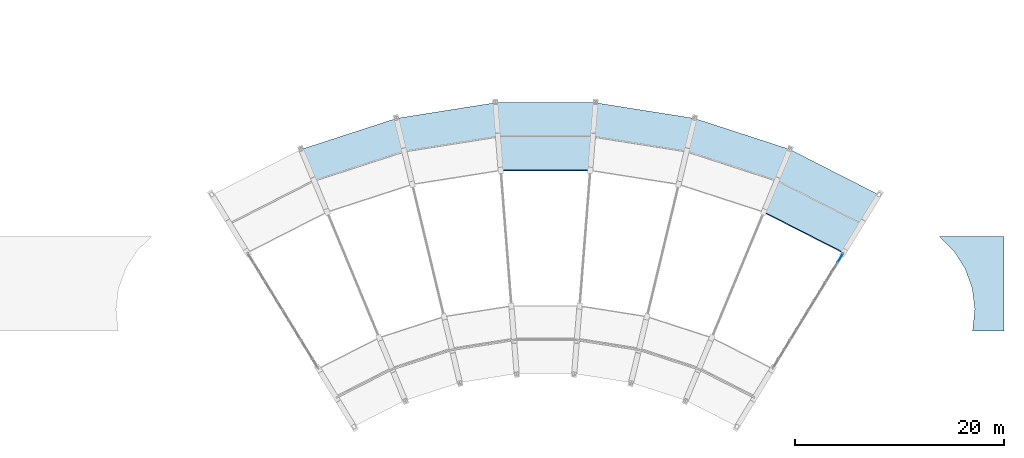
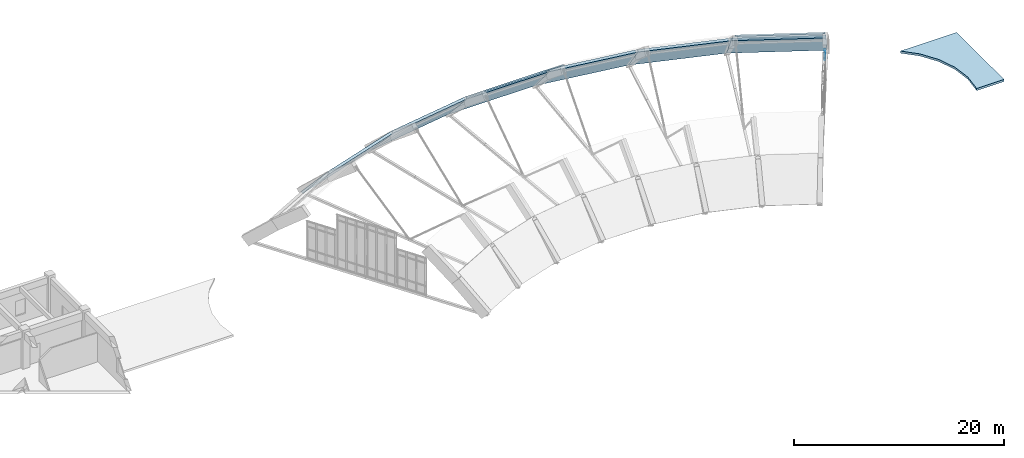
# One storey, part 19 of 34: 9 slabs, 1 plate, 1 element without a shape of its own.
"""IFC4 building model written with IfcOpenShell, lengths in metres."""

import ifcopenshell
import ifcopenshell.guid

model = None  # the IFC model being written
_history = None  # IfcOwnerHistory: only IFC2X3 demands one
_inside = {}  # id of a spatial element -> (the spatial element, [elements in it])
_under = {}  # id of a project, library or spatial element -> (it, [spatial elements below it])
_declared = {}  # id of a project -> (the project, [libraries it declares])
_typed = {}  # id of a type object -> (the type object, [elements of that type])
_made_of = {}  # id of a material, layer set ... -> (it, [elements and type objects made of it])


def new_model(schema):
    """Start an empty IFC model of exactly this schema.

    Asked for "IFC4X3", IfcOpenShell would pick the latest addendum, in which some entities
    have other attributes; the version numbers below select the first issue.
    IFC2X3 requires an IfcOwnerHistory on every rooted entity: one is made here for all.
    """
    global model, _history
    if schema == "IFC4X3":
        model = ifcopenshell.file(schema_version=(4, 3, 0, 0))
    else:
        model = ifcopenshell.file(schema=schema)
    _inside.clear()
    _under.clear()
    _declared.clear()
    _typed.clear()
    _made_of.clear()
    _history = None
    if model.schema == "IFC2X3":
        org = make("IfcOrganization", Name="unknown")
        user = make(
            "IfcPersonAndOrganization",
            ThePerson=make("IfcPerson", FamilyName="unknown"),
            TheOrganization=org,
        )
        app = make(
            "IfcApplication",
            ApplicationDeveloper=org,
            Version="unknown",
            ApplicationFullName="unknown",
            ApplicationIdentifier="unknown",
        )
        _history = make(
            "IfcOwnerHistory",
            OwningUser=user,
            OwningApplication=app,
            ChangeAction="ADDED",
            CreationDate=0,
        )
    return model


def make(cls, **values):
    """One entity of the class cls with the attributes given. An attribute that is None is left unset."""
    return model.create_entity(
        cls, **{name: value for name, value in values.items() if value is not None}
    )


def rooted(cls, **values):
    """An entity with a GlobalId (a new one), such as an element, a storey or a relation."""
    return make(cls, GlobalId=ifcopenshell.guid.new(), OwnerHistory=_history, **values)


def si_unit(unit_type, name, prefix=None):
    """IfcSIUnit, for example si_unit("LENGTHUNIT", "METRE", prefix="MILLI")."""
    return make("IfcSIUnit", UnitType=unit_type, Prefix=prefix, Name=name)


def assignment(units):
    """IfcUnitAssignment: the units of a project."""
    return None if units is None else make("IfcUnitAssignment", Units=units)


def point(xyz):
    """IfcCartesianPoint."""
    return None if xyz is None else make("IfcCartesianPoint", Coordinates=xyz)


def direction(xyz):
    """IfcDirection."""
    return None if xyz is None else make("IfcDirection", DirectionRatios=xyz)


def frame(location, z_axis=None, x_axis=None):
    """IfcAxis2Placement3D, a coordinate frame: its origin and axes. An axis left out is left unset."""
    return make(
        "IfcAxis2Placement3D",
        Location=point(location),
        Axis=direction(z_axis),
        RefDirection=direction(x_axis),
    )


def frame_2d(location, x_axis=None):
    """IfcAxis2Placement2D, a coordinate frame in the plane: its origin and x axis."""
    return make(
        "IfcAxis2Placement2D", Location=point(location), RefDirection=direction(x_axis)
    )


def origin():
    """The frame at (0, 0, 0) with its axes left unset."""
    return frame((0.0, 0.0, 0.0))


def origin_2d():
    """The frame at (0, 0) in the plane with its x axis left unset."""
    return frame_2d((0.0, 0.0))


def place(relative_to, where):
    """IfcLocalPlacement: puts the frame where relative to a parent placement (None: the world)."""
    return make(
        "IfcLocalPlacement", PlacementRelTo=relative_to, RelativePlacement=where
    )


def context(
    kind, dimensions, precision=None, world=None, true_north=None, identifier=None
):
    """IfcGeometricRepresentationContext, for example the 3D "Model" context."""
    return make(
        "IfcGeometricRepresentationContext",
        ContextIdentifier=identifier,
        ContextType=kind,
        CoordinateSpaceDimension=dimensions,
        Precision=precision,
        WorldCoordinateSystem=world,
        TrueNorth=true_north,
    )


def subcontext(parent, identifier, kind, view, scale=None):
    """IfcGeometricRepresentationSubContext, for example "Body" below "Model"."""
    return make(
        "IfcGeometricRepresentationSubContext",
        ContextIdentifier=identifier,
        ContextType=kind,
        ParentContext=parent,
        TargetScale=scale,
        TargetView=view,
    )


def project(units=None, contexts=None):
    """IfcProject with its units and contexts."""
    return rooted(
        "IfcProject",
        Name="project",
        RepresentationContexts=contexts,
        UnitsInContext=assignment(units),
    )


def spatial(cls, under=None, at=None, **own):
    """A site, building, storey or space (cls), placed at a placement, below another one or the project."""
    s = rooted(cls, ObjectPlacement=at, **own)
    if under is not None:
        _under.setdefault(under.id(), (under, []))[1].append(s)
    return s


def polyline(points):
    """IfcPolyline through the points."""
    return make("IfcPolyline", Points=[point(p) for p in points])


def profile(cls, at=None, kind="AREA", **sizes):
    """A parametric profile (cls). Its sizes go by their IFC names, for example OverallWidth=200.0."""
    return make(cls, ProfileType=kind, Position=at, **sizes)


def rectangle(**sizes):
    """IfcRectangleProfileDef."""
    return profile("IfcRectangleProfileDef", **sizes)


def outline(outer, holes=None, kind="AREA"):
    """IfcArbitraryClosedProfileDef: a profile drawn as a closed curve; with holes, ...WithVoids."""
    if holes is None:
        return make("IfcArbitraryClosedProfileDef", ProfileType=kind, OuterCurve=outer)
    return make(
        "IfcArbitraryProfileDefWithVoids",
        ProfileType=kind,
        OuterCurve=outer,
        InnerCurves=holes,
    )


def extrude(swept, where, along, depth):
    """IfcExtrudedAreaSolid: the profile swept, set in the frame where, extruded along a direction by depth."""
    return make(
        "IfcExtrudedAreaSolid",
        SweptArea=swept,
        Position=where,
        ExtrudedDirection=direction(along),
        Depth=depth,
    )


def shape(context_of_items, identifier, shape_type, items):
    """IfcShapeRepresentation: the items that make up one representation, for example the "Body"."""
    return make(
        "IfcShapeRepresentation",
        ContextOfItems=context_of_items,
        RepresentationIdentifier=identifier,
        RepresentationType=shape_type,
        Items=items,
    )


def material(Name=None, Category=None):
    """IfcMaterial."""
    return make("IfcMaterial", Name=Name, Category=Category)


def layer(
    of_material, thickness, ventilated=None, Name=None, Category=None, Priority=None
):
    """IfcMaterialLayer: one layer of a wall or slab, of a material (None: an air gap)."""
    return make(
        "IfcMaterialLayer",
        Material=of_material,
        LayerThickness=thickness,
        IsVentilated=ventilated,
        Name=Name,
        Category=Category,
        Priority=Priority,
    )


def layer_set(layers, Name=None):
    """IfcMaterialLayerSet."""
    return make("IfcMaterialLayerSet", MaterialLayers=layers, LayerSetName=Name)


def made_of(thing, what):
    """Note that an element or type object is made of a material, layer set ...; save() writes the relation."""
    if what is not None:
        _made_of.setdefault(what.id(), (what, []))[1].append(thing)
    return thing


def type_object(cls, material=None, **own):
    """A type object (cls), such as IfcWallType, which elements share."""
    return made_of(rooted(cls, **own), material)


def element(
    cls,
    number,
    at=None,
    inside=None,
    cuts=None,
    type_object=None,
    material=None,
    context=None,
    identifier="Body",
    shape_type=None,
    held_by="IfcProductDefinitionShape",
    body=None,
    shapes=None,
    **own,
):
    """One element of the class cls, such as IfcWall. Its Tag is "e" and its number.

    at: its placement. inside: the storey or other place that contains it. cuts: it is an
    opening in that element (IfcRelVoidsElement). A single representation is given by context,
    identifier, shape_type and body (its items); several are given by shapes. held_by: the class
    of the entity that holds the representations. save() writes the other relations.
    """
    e = rooted(cls, Tag="e%d" % number, ObjectPlacement=at, **own)
    if body is not None:
        shapes = [shape(context, identifier, shape_type, body)]
    if shapes is not None:
        e.Representation = make(held_by, Representations=shapes)
    if inside is not None:
        _inside.setdefault(inside.id(), (inside, []))[1].append(e)
    if cuts is not None:
        rooted(
            "IfcRelVoidsElement", RelatingBuildingElement=cuts, RelatedOpeningElement=e
        )
    if type_object is not None:
        _typed.setdefault(type_object.id(), (type_object, []))[1].append(e)
    return made_of(e, material)


def aggregate(whole, parts):
    """IfcRelAggregates: a whole, such as a stair, and the parts it consists of."""
    return rooted("IfcRelAggregates", RelatingObject=whole, RelatedObjects=parts)


def save(model, path):
    """Write the relations noted so far, then the file.

    IfcRelAggregates (storeys below a building ...), IfcRelContainedInSpatialStructure (elements
    in a storey), IfcRelDefinesByType, IfcRelAssociatesMaterial and IfcRelDeclares: one each for
    every whole, place, type object, material and project.
    """
    for whole, parts in _under.values():
        aggregate(whole, parts)
    for where, things in _inside.values():
        rooted(
            "IfcRelContainedInSpatialStructure",
            RelatedElements=things,
            RelatingStructure=where,
        )
    for kind, things in _typed.values():
        rooted("IfcRelDefinesByType", RelatedObjects=things, RelatingType=kind)
    for what, things in _made_of.values():
        rooted("IfcRelAssociatesMaterial", RelatedObjects=things, RelatingMaterial=what)
    for by, libraries in _declared.values():
        rooted("IfcRelDeclares", RelatingContext=by, RelatedDefinitions=libraries)
    model.write(path)


model = new_model("IFC4")

# Units and contexts
model_context = context("Model", 3, precision=1e-05, world=origin(), true_north=direction((0.0, 1.0)))
body_context = subcontext(model_context, "Body", "Model", "MODEL_VIEW")
ifc_project = project(units=[si_unit("LENGTHUNIT", "METRE"), si_unit("AREAUNIT", "SQUARE_METRE"), si_unit("VOLUMEUNIT", "CUBIC_METRE"), si_unit("PLANEANGLEUNIT", "RADIAN"), si_unit("MASSUNIT", "GRAM", prefix="KILO")], contexts=[model_context])

# Site, building, storey
site_placement = place(None, origin())
site = spatial("IfcSite", under=ifc_project, at=site_placement, CompositionType="ELEMENT")
building_placement = place(site_placement, origin())
building = spatial("IfcBuilding", under=site, at=building_placement, Name="Miralva Faculty of Natural Sciences", CompositionType="ELEMENT")
storey_placement = place(building_placement, frame((0.0, 0.0, 24.0)))
storey = spatial("IfcBuildingStorey", under=building, at=storey_placement, Name="L05", CompositionType="ELEMENT", Elevation=24.0)

# Curtain wall, plate
ifc_material_1 = material(Name="Laminated solar-control glass", Category="glass")
ifc_layer_1 = layer(ifc_material_1, 0.179931640625, Name="CW-ARC-L03")
ifc_layer_set_1 = layer_set([ifc_layer_1], Name="Laminated solar-control glass")
curtain_wall_type = type_object("IfcCurtainWallType", Name="CW-ARC-L03", PredefinedType="USERDEFINED", material=ifc_layer_set_1)
curtain_wall_placement = place(storey_placement, origin())
curtain_wall = element("IfcCurtainWall", 1, at=curtain_wall_placement, inside=storey, type_object=curtain_wall_type, Name="Shell arch E clerestory curtain wall K5", ObjectType="UNITISED CURTAIN WALL", PredefinedType="USERDEFINED")
ifc_layer_2 = layer(ifc_material_1, 0.028076171875, Name="PNL-P01")
ifc_layer_set_2 = layer_set([ifc_layer_2], Name="Laminated solar-control glass")
plate_type = type_object("IfcPlateType", Name="PNL-P01", PredefinedType="CURTAIN_PANEL", material=ifc_layer_set_2)
plate_placement = place(storey_placement, frame((118.170654296875, 24.970458984375, 3.80224609375), z_axis=(0.0, 0.0, 1.0), x_axis=(0.522489563224, 0.85264568041, 0.0)))
plate = element("IfcPlate", 2, at=plate_placement, type_object=plate_type, Name="CW-03 panel 3.3", PredefinedType="CURTAIN_PANEL", context=body_context, shape_type="SweptSolid", body=[
    extrude(rectangle(XDim=0.959228515625, YDim=0.028076171875, at=origin_2d()), origin(), (0.0, 0.0, 1.0), 0.552490234375),
])
aggregate(curtain_wall, [plate])

# Slabs
ifc_material_2 = material(Name="Concrete C40/50", Category="concrete")
ifc_layer_3 = layer(ifc_material_2, 0.25, Name="SL-RF01")
ifc_layer_set_3 = layer_set([ifc_layer_3], Name="Concrete C40/50")
slab_type_1 = type_object("IfcSlabType", Name="SL-RF01", PredefinedType="ROOF", material=ifc_layer_set_3)
slab_1_placement = place(storey_placement, frame((0.0, 0.0, -0.25)))
element("IfcSlab", 3, at=slab_1_placement, inside=storey, type_object=slab_type_1, Name="East Link Maintenance Roof", PredefinedType="ROOF", context=body_context, shape_type="SweptSolid", body=[
    extrude(outline(polyline([(133.800048828125, 27.0), (133.800048828125, 18.0), (130.78759765625, 18.0), (130.808349609375, 18.0615234375), (131.013916015625, 20.06640625), (130.768310546875, 22.066650390625), (130.083740234375, 23.962158203125), (128.99462890625, 25.657958984375), (127.62548828125, 27.0), (133.800048828125, 27.0)])), origin(), (0.0, 0.0, 1.0), 0.25),
])
ifc_layer_4 = layer(ifc_material_2, 0.139892578125, Name="SL-SH01")
ifc_layer_set_4 = layer_set([ifc_layer_4], Name="Concrete C40/50")
slab_type_2 = type_object("IfcSlabType", Name="SL-SH01", PredefinedType="ROOF", material=ifc_layer_set_4)
slab_2_placement = place(storey_placement, frame((85.722412109375, 33.351806640625, 6.300048828125), z_axis=(0.0, 0.634200906963, 0.773168293198), x_axis=(1.0, 0.0, 0.0)))
element("IfcSlab", 4, at=slab_2_placement, inside=storey, type_object=slab_type_2, Name="Thin concrete shell roof bay 4 strip 7", PredefinedType="ROOF", context=body_context, shape_type="SweptSolid", body=[
    extrude(outline(polyline([(0.0, 0.0), (8.55517578125, 0.0), (8.806884765625, 4.139066928444981), (-0.251708984375, 4.139066928444981), (0.0, 0.0)])), origin(), (0.0, 0.0, -1.0), 0.139892578125),
])
slab_3_placement = place(storey_placement, frame((110.864013671875, 29.369873046875, 6.300048828125), z_axis=(0.287929637634, 0.56507345126, 0.773167846236), x_axis=(0.890999757488, -0.454003779892, 3.17503e-07)))
element("IfcSlab", 5, at=slab_3_placement, inside=storey, type_object=slab_type_2, Name="Thin concrete shell roof bay 7 strip 7", PredefinedType="ROOF", context=body_context, shape_type="SweptSolid", body=[
    extrude(outline(polyline([(0.0, 0.0), (8.555063613914106, 4.440892098500626e-16), (8.806852809172764, 4.139067781203632), (-0.25210487109369556, 4.139058963016213), (0.0, 0.0)])), origin(), (0.0, 0.0, -1.0), 0.139892578125),
])
ifc_layer_5 = layer(ifc_material_2, 0.260009765625, Name="SL-SH02")
ifc_layer_set_5 = layer_set([ifc_layer_5], Name="Concrete C40/50")
slab_type_3 = type_object("IfcSlabType", Name="SL-SH02", PredefinedType="ROOF", material=ifc_layer_set_5)
slab_4_placement = place(storey_placement, frame((67.892333984375, 32.37255859375, 3.675048828125), z_axis=(-0.233051665778, 0.717246984107, 0.656691468551), x_axis=(0.951056362101, 0.309017468892, 5.210723e-06)))
element("IfcSlab", 6, at=slab_4_placement, inside=storey, type_object=slab_type_3, Name="Thin concrete shell roof bay 2 strip 8", PredefinedType="ROOF", context=body_context, shape_type="SweptSolid", body=[
    extrude(outline(polyline([(0.0, 0.0), (9.065251662425506, 0.0), (9.316952558693973, 4.873104614795521), (-0.2517597168254728, 4.872975866904571), (0.0, 0.0)])), origin(), (0.0, 0.0, -1.0), 0.260009765625),
])
slab_5_placement = place(storey_placement, frame((76.513916015625, 35.173828125, 3.675048828125), z_axis=(-0.117967406784, 0.744867489773, 0.656700931639), x_axis=(0.987690050612, 0.156423668035, 5.0103e-07)))
element("IfcSlab", 7, at=slab_5_placement, inside=storey, type_object=slab_type_3, Name="Thin concrete shell roof bay 3 strip 8", PredefinedType="ROOF", context=body_context, shape_type="SweptSolid", body=[
    extrude(outline(polyline([(0.0, 0.0), (9.064957492687144, -1.1102230246251565e-16), (9.316931481069414, 4.873099675688555), (-0.25203598670890864, 4.873087296001753), (0.0, 0.0)])), origin(), (0.0, 0.0, -1.0), 0.260009765625),
])
slab_6_placement = place(storey_placement, frame((85.46728515625, 36.591796875, 3.675048828125), z_axis=(0.0, 0.754148025767, 0.656704465671), x_axis=(1.0, 0.0, 0.0)))
element("IfcSlab", 8, at=slab_6_placement, inside=storey, type_object=slab_type_3, Name="Thin concrete shell roof bay 4 strip 8", PredefinedType="ROOF", context=body_context, shape_type="SweptSolid", body=[
    extrude(outline(polyline([(0.0, 0.0), (9.0654296875, 0.0), (9.317138671875, 4.873113371064735), (-0.251708984375, 4.873113371064735), (0.0, 0.0)])), origin(), (0.0, 0.0, -1.0), 0.260009765625),
])
slab_7_placement = place(storey_placement, frame((94.53271484375, 36.591796875, 3.675048828125), z_axis=(0.117967406784, 0.744867489773, 0.656700931639), x_axis=(0.987690050612, -0.156423668035, -5.0103e-07)))
element("IfcSlab", 9, at=slab_7_placement, inside=storey, type_object=slab_type_3, Name="Thin concrete shell roof bay 5 strip 8", PredefinedType="ROOF", context=body_context, shape_type="SweptSolid", body=[
    extrude(outline(polyline([(0.0, 0.0), (9.064957492687144, 1.1102230246251565e-16), (9.316993479396054, 4.873087296001753), (-0.25197398838227114, 4.873099675688556), (0.0, 0.0)])), origin(), (0.0, 0.0, -1.0), 0.260009765625),
])
slab_8_placement = place(storey_placement, frame((103.486083984375, 35.173828125, 3.675048828125), z_axis=(0.233051665778, 0.717246984107, 0.656691468551), x_axis=(0.951056362101, -0.309017468892, -5.210723e-06)))
element("IfcSlab", 10, at=slab_8_placement, inside=storey, type_object=slab_type_3, Name="Thin concrete shell roof bay 6 strip 8", PredefinedType="ROOF", context=body_context, shape_type="SweptSolid", body=[
    extrude(outline(polyline([(0.0, 0.0), (9.065251662425506, 0.0), (9.31701137925098, 4.8729758669045715), (-0.2517008962684695, 4.873104614795521), (0.0, 0.0)])), origin(), (0.0, 0.0, -1.0), 0.260009765625),
])
slab_9_placement = place(storey_placement, frame((112.107666015625, 32.37255859375, 3.675048828125), z_axis=(0.342383956259, 0.671972113743, 0.656678539963), x_axis=(0.891008077742, -0.453987450706, 5.5046e-08)))
element("IfcSlab", 11, at=slab_9_placement, inside=storey, type_object=slab_type_3, Name="Thin concrete shell roof bay 7 strip 8", PredefinedType="ROOF", context=body_context, shape_type="SweptSolid", body=[
    extrude(outline(polyline([(0.0, 0.0), (9.065180102677447, 0.0), (9.317139414950775, 4.872968181158164), (-0.2519347542010438, 4.872966821070052), (0.0, 0.0)])), origin(), (0.0, 0.0, -1.0), 0.260009765625),
])

save(model, "model.ifc")
